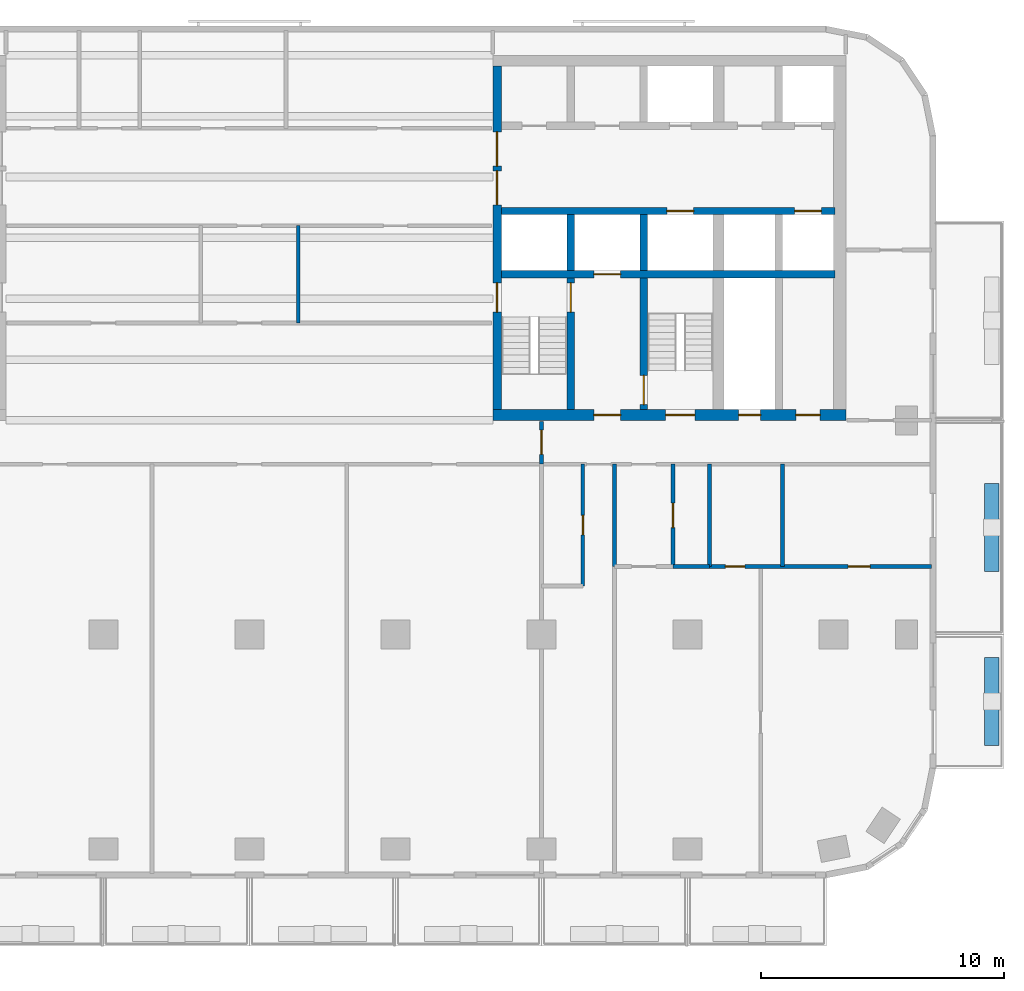
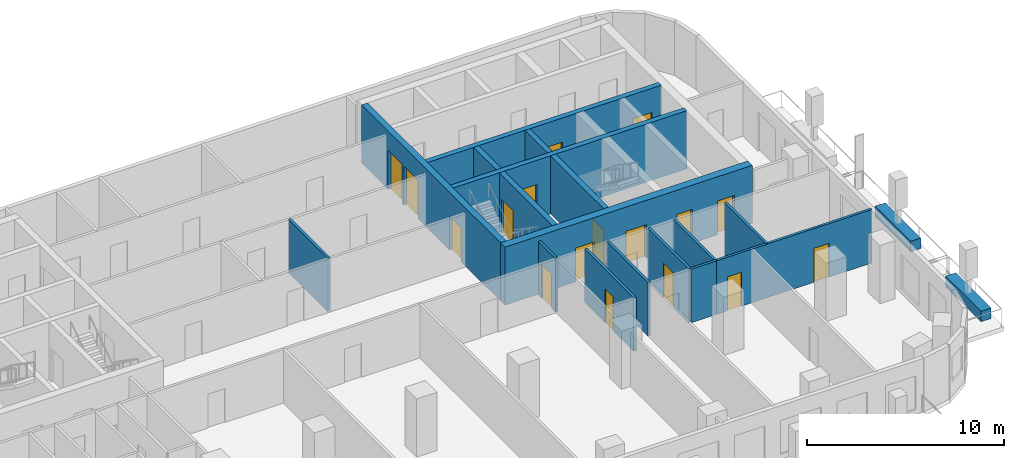
# One storey, part 5 of 11: 19 walls, 17 doors, 17 openings.
"""IFC4 building model written with IfcOpenShell, lengths in metres."""

from ifc_helpers import new_model, si_unit, direction, frame, frame_2d, origin, place, context, subcontext, project, spatial, rectangle, extrude, material, layer, layer_set, type_object, element, fill, save


model = new_model("IFC4")

# Units and contexts
model_context = context("Model", 3, precision=1e-05, world=origin(), true_north=direction((0.0, 1.0)))
body_context = subcontext(model_context, "Body", "Model", "MODEL_VIEW")
ifc_project = project(units=[si_unit("LENGTHUNIT", "METRE"), si_unit("AREAUNIT", "SQUARE_METRE"), si_unit("VOLUMEUNIT", "CUBIC_METRE"), si_unit("PLANEANGLEUNIT", "RADIAN"), si_unit("MASSUNIT", "GRAM", prefix="KILO")], contexts=[model_context])

# Site, building, storey
site_placement = place(None, origin())
site = spatial("IfcSite", under=ifc_project, at=site_placement, CompositionType="ELEMENT")
building_placement = place(site_placement, origin())
building = spatial("IfcBuilding", under=site, at=building_placement, Name="Torana Hotel and Residences", CompositionType="ELEMENT")
storey_placement = place(building_placement, frame((0.0, 0.0, 145.199951171875)))
storey = spatial("IfcBuildingStorey", under=building, at=storey_placement, Name="L37", CompositionType="ELEMENT", Elevation=145.199951171875)

# Wall, openings, doors
ifc_material_1 = material(Name="Concrete C70/85", Category="concrete")
ifc_layer_1 = layer(ifc_material_1, 0.300048828125)
ifc_layer_set_1 = layer_set([ifc_layer_1], Name="CORE WALL 300 C70/85")
wall_type_1 = type_object("IfcWallType", Name="CORE WALL 300 C70/85", PredefinedType="SHEAR", material=ifc_layer_set_1)
wall_1_placement = place(storey_placement, frame((10.35009765625, -6.39990234375, 0.0), z_axis=(0.0, 0.0, 1.0), x_axis=(1.0, 0.0, 0.0)))
wall_1 = element("IfcWall", 1, at=wall_1_placement, inside=storey, type_object=wall_type_1, Name="Core wall E row-S", PredefinedType="SHEAR", context=body_context, shape_type="SweptSolid", body=[
    extrude(rectangle(XDim=13.699951171875, YDim=0.300048828125, at=frame_2d((6.85009765625, 0.0))), origin(), (0.0, 0.0, 1.0), 3.60009765625),
])
opening_1_placement = place(wall_1_placement, frame((12.050048828125, 0.0, 0.0)))
opening_1 = element("IfcOpeningElement", 2, at=opening_1_placement, cuts=wall_1, Name="Opening LD", PredefinedType="OPENING", context=body_context, shape_type="SweptSolid", body=[
    extrude(rectangle(XDim=1.10009765625, YDim=2.10009765625, at=frame_2d((0.550048828125, 1.050048828125))), frame((0.0, 0.159912109375, 0.0), z_axis=(0.0, -1.0, 0.0), x_axis=(1.0, 0.0, 0.0)), (0.0, 0.0, 1.0), 0.320068359375),
])
opening_2_placement = place(wall_1_placement, frame((6.800048828125, 0.0, 0.0)))
opening_2 = element("IfcOpeningElement", 3, at=opening_2_placement, cuts=wall_1, Name="Opening LD", PredefinedType="OPENING", context=body_context, shape_type="SweptSolid", body=[
    extrude(rectangle(XDim=1.10009765625, YDim=2.10009765625, at=frame_2d((0.550048828125, 1.050048828125))), frame((0.0, 0.159912109375, 0.0), z_axis=(0.0, -1.0, 0.0), x_axis=(1.0, 0.0, 0.0)), (0.0, 0.0, 1.0), 0.320068359375),
])
ifc_material_2 = material(Name="Stainless steel 316", Category="steel")
door_type_1 = type_object("IfcDoorType", Name="LIFT LANDING DOOR LD 1100x2100", OperationType="DOUBLE_DOOR_SLIDING", PredefinedType="USERDEFINED", material=ifc_material_2)
door_1_placement = place(opening_1_placement, origin())
door_1 = element("IfcDoor", 4, at=door_1_placement, inside=storey, type_object=door_type_1, Name="Lift landing door M4 L37", ObjectType="LIFT LANDING DOOR", OperationType="DOUBLE_DOOR_SLIDING", OverallHeight=2.10009765625, OverallWidth=1.10009765625, PredefinedType="USERDEFINED", context=body_context, shape_type="SweptSolid", body=[
    extrude(rectangle(XDim=1.10009765625, YDim=2.10009765625, at=frame_2d((0.550048828125, 1.050048828125))), frame((0.0, 0.02490234375, 0.0), z_axis=(0.0, -1.0, 0.0), x_axis=(1.0, 0.0, 0.0)), (0.0, 0.0, 1.0), 0.050048828125),
])
fill(opening_1, door_1)
door_2_placement = place(opening_2_placement, origin())
door_2 = element("IfcDoor", 5, at=door_2_placement, inside=storey, type_object=door_type_1, Name="Lift landing door SV2 L37", ObjectType="LIFT LANDING DOOR", OperationType="DOUBLE_DOOR_SLIDING", OverallHeight=2.10009765625, OverallWidth=1.10009765625, PredefinedType="USERDEFINED", context=body_context, shape_type="SweptSolid", body=[
    extrude(rectangle(XDim=1.10009765625, YDim=2.10009765625, at=frame_2d((0.550048828125, 1.050048828125))), frame((0.0, 0.02490234375, 0.0), z_axis=(0.0, -1.0, 0.0), x_axis=(1.0, 0.0, 0.0)), (0.0, 0.0, 1.0), 0.050048828125),
])
fill(opening_2, door_2)

# Wall, opening, door
wall_2_placement = place(storey_placement, frame((10.35009765625, -9.0, 0.0), z_axis=(0.0, 0.0, 1.0), x_axis=(1.0, 0.0, 0.0)))
wall_2 = element("IfcWall", 6, at=wall_2_placement, inside=storey, type_object=wall_type_1, Name="Core wall E band", PredefinedType="SHEAR", context=body_context, shape_type="SweptSolid", body=[
    extrude(rectangle(XDim=13.699951171875, YDim=0.300048828125, at=frame_2d((6.85009765625, 0.0))), origin(), (0.0, 0.0, 1.0), 3.60009765625),
])
opening_3_placement = place(wall_2_placement, frame((3.800048828125, 0.0, 0.0)))
opening_3 = element("IfcOpeningElement", 7, at=opening_3_placement, cuts=wall_2, Name="Opening LD", PredefinedType="OPENING", context=body_context, shape_type="SweptSolid", body=[
    extrude(rectangle(XDim=1.10009765625, YDim=2.10009765625, at=frame_2d((0.550048828125, 1.050048828125))), frame((0.0, 0.159912109375, 0.0), z_axis=(0.0, -1.0, 0.0), x_axis=(1.0, 0.0, 0.0)), (0.0, 0.0, 1.0), 0.320068359375),
])
door_3_placement = place(opening_3_placement, origin())
door_3 = element("IfcDoor", 8, at=door_3_placement, inside=storey, type_object=door_type_1, Name="Lift landing door FF2 L37", ObjectType="LIFT LANDING DOOR", OperationType="DOUBLE_DOOR_SLIDING", OverallHeight=2.10009765625, OverallWidth=1.10009765625, PredefinedType="USERDEFINED", context=body_context, shape_type="SweptSolid", body=[
    extrude(rectangle(XDim=1.10009765625, YDim=2.10009765625, at=frame_2d((0.550048828125, 1.050048828125))), frame((0.0, 0.02490234375, 0.0), z_axis=(0.0, -1.0, 0.0), x_axis=(1.0, 0.0, 0.0)), (0.0, 0.0, 1.0), 0.050048828125),
])
fill(opening_3, door_3)

# Wall
wall_3_placement = place(storey_placement, frame((13.199951171875, -8.85009765625, 0.0), z_axis=(0.0, 0.0, 1.0), x_axis=(0.0, 1.0, 0.0)))
element("IfcWall", 9, at=wall_3_placement, inside=storey, type_object=wall_type_1, Name="Core wall E x3.05-S", PredefinedType="SHEAR", context=body_context, shape_type="SweptSolid", body=[
    extrude(rectangle(XDim=2.300048828125, YDim=0.300048828125, at=frame_2d((1.14990234375, 0.0))), origin(), (0.0, 0.0, 1.0), 3.60009765625),
])

# Wall, opening, door
wall_4_placement = place(storey_placement, frame((13.199951171875, -14.550048828125, 0.0), z_axis=(0.0, 0.0, 1.0), x_axis=(0.0, 1.0, 0.0)))
wall_4 = element("IfcWall", 10, at=wall_4_placement, inside=storey, type_object=wall_type_1, Name="Core wall E x3.05-band", PredefinedType="SHEAR", context=body_context, shape_type="SweptSolid", body=[
    extrude(rectangle(XDim=5.400146484375, YDim=0.300048828125, at=frame_2d((2.7001953125, 0.0))), origin(), (0.0, 0.0, 1.0), 3.60009765625),
])
opening_4_placement = place(wall_4_placement, frame((4.0, 0.0, 0.0)))
opening_4 = element("IfcOpeningElement", 11, at=opening_4_placement, cuts=wall_4, Name="Opening L37-25", PredefinedType="OPENING", context=body_context, shape_type="SweptSolid", body=[
    extrude(rectangle(XDim=1.199951171875, YDim=2.10009765625, at=frame_2d((0.60009765625, 1.050048828125))), frame((0.0, 0.159912109375, 0.0), z_axis=(0.0, -1.0, 0.0), x_axis=(1.0, 0.0, 0.0)), (0.0, 0.0, 1.0), 0.320068359375),
])
ifc_material_3 = material(Name="Steel S235", Category="steel")
door_type_2 = type_object("IfcDoorType", Name="STAIR FIRE DOOR D3 1200x2100", OperationType="SINGLE_SWING_LEFT", PredefinedType="DOOR", material=ifc_material_3)
door_4_placement = place(opening_4_placement, origin())
door_4 = element("IfcDoor", 12, at=door_4_placement, inside=storey, type_object=door_type_2, Name="Stair-A-lobby door L37", OperationType="SINGLE_SWING_LEFT", OverallHeight=2.10009765625, OverallWidth=1.199951171875, PredefinedType="DOOR", context=body_context, shape_type="SweptSolid", body=[
    extrude(rectangle(XDim=1.199951171875, YDim=2.10009765625, at=frame_2d((0.60009765625, 1.050048828125))), frame((0.0, 0.02490234375, 0.0), z_axis=(0.0, -1.0, 0.0), x_axis=(1.0, 0.0, 0.0)), (0.0, 0.0, 1.0), 0.050048828125),
])
fill(opening_4, door_4)

# Wall
wall_5_placement = place(storey_placement, frame((16.199951171875, -8.85009765625, 0.0), z_axis=(0.0, 0.0, 1.0), x_axis=(0.0, 1.0, 0.0)))
element("IfcWall", 13, at=wall_5_placement, inside=storey, type_object=wall_type_1, Name="Core wall E x6.05-S", PredefinedType="SHEAR", context=body_context, shape_type="SweptSolid", body=[
    extrude(rectangle(XDim=2.300048828125, YDim=0.300048828125, at=frame_2d((1.14990234375, 0.0))), origin(), (0.0, 0.0, 1.0), 3.60009765625),
])

# Wall, opening, door
wall_6_placement = place(storey_placement, frame((16.199951171875, -14.550048828125, 0.0), z_axis=(0.0, 0.0, 1.0), x_axis=(0.0, 1.0, 0.0)))
wall_6 = element("IfcWall", 14, at=wall_6_placement, inside=storey, type_object=wall_type_1, Name="Core wall E x6.05-band", PredefinedType="SHEAR", context=body_context, shape_type="SweptSolid", body=[
    extrude(rectangle(XDim=5.400146484375, YDim=0.300048828125, at=frame_2d((2.7001953125, 0.0))), origin(), (0.0, 0.0, 1.0), 3.60009765625),
])
opening_5_placement = place(wall_6_placement, frame((0.199951171875, 0.0, 0.0)))
opening_5 = element("IfcOpeningElement", 15, at=opening_5_placement, cuts=wall_6, Name="Opening L37-26", PredefinedType="OPENING", context=body_context, shape_type="SweptSolid", body=[
    extrude(rectangle(XDim=1.199951171875, YDim=2.10009765625, at=frame_2d((0.60009765625, 1.050048828125))), frame((0.0, 0.159912109375, 0.0), z_axis=(0.0, -1.0, 0.0), x_axis=(1.0, 0.0, 0.0)), (0.0, 0.0, 1.0), 0.320068359375),
])
door_5_placement = place(opening_5_placement, frame((0.60009765625, 0.0, 0.0), z_axis=(0.0, 0.0, 1.0), x_axis=(-1.0, 0.0, 0.0)))
door_5 = element("IfcDoor", 16, at=door_5_placement, inside=storey, type_object=door_type_2, Name="Stair-B-lobby door L37", OperationType="SINGLE_SWING_LEFT", OverallHeight=2.10009765625, OverallWidth=1.199951171875, PredefinedType="DOOR", context=body_context, shape_type="SweptSolid", body=[
    extrude(rectangle(XDim=1.199951171875, YDim=2.10009765625, at=frame_2d((0.0, 1.050048828125))), frame((0.0, -0.02490234375, 0.0), z_axis=(0.0, 1.0, 0.0), x_axis=(-1.0, 0.0, 0.0)), (0.0, 0.0, 1.0), 0.050048828125),
])
fill(opening_5, door_5)

# Wall, openings, doors
ifc_material_4 = material(Name="Concrete C70/85", Category="concrete")
ifc_layer_2 = layer(ifc_material_4, 0.35009765625)
ifc_layer_set_2 = layer_set([ifc_layer_2], Name="CORE WALL 350 C70/85")
wall_type_2 = type_object("IfcWallType", Name="CORE WALL 350 C70/85", PredefinedType="SHEAR", material=ifc_layer_set_2)
wall_7_placement = place(storey_placement, frame((10.175048828125, -14.550048828125, 0.0), z_axis=(0.0, 0.0, 1.0), x_axis=(0.0, 1.0, 0.0)))
wall_7 = element("IfcWall", 17, at=wall_7_placement, inside=storey, type_object=wall_type_2, Name="Core wall E arch", PredefinedType="SHEAR", context=body_context, shape_type="SweptSolid", body=[
    extrude(rectangle(XDim=14.10009765625, YDim=0.35009765625, at=frame_2d((7.050048828125, 0.0))), origin(), (0.0, 0.0, 1.0), 3.60009765625),
])
opening_6_placement = place(wall_7_placement, frame((8.39990234375, 0.0, 0.0)))
opening_6 = element("IfcOpeningElement", 18, at=opening_6_placement, cuts=wall_7, Name="Opening L37-14", PredefinedType="OPENING", context=body_context, shape_type="SweptSolid", body=[
    extrude(rectangle(XDim=1.39990234375, YDim=2.39990234375, at=frame_2d((0.699951171875, 1.199951171875))), frame((0.0, 0.18505859375, 0.0), z_axis=(0.0, -1.0, 0.0), x_axis=(1.0, 0.0, 0.0)), (0.0, 0.0, 1.0), 0.3701171875),
])
opening_7_placement = place(wall_7_placement, frame((10.0, 0.0, 0.0)))
opening_7 = element("IfcOpeningElement", 19, at=opening_7_placement, cuts=wall_7, Name="Opening L37-15", PredefinedType="OPENING", context=body_context, shape_type="SweptSolid", body=[
    extrude(rectangle(XDim=1.39990234375, YDim=2.39990234375, at=frame_2d((0.699951171875, 1.199951171875))), frame((0.0, 0.18505859375, 0.0), z_axis=(0.0, -1.0, 0.0), x_axis=(1.0, 0.0, 0.0)), (0.0, 0.0, 1.0), 0.3701171875),
])
opening_8_placement = place(wall_7_placement, frame((4.0, 0.0, 0.0)))
opening_8 = element("IfcOpeningElement", 20, at=opening_8_placement, cuts=wall_7, Name="Opening L37-16", PredefinedType="OPENING", context=body_context, shape_type="SweptSolid", body=[
    extrude(rectangle(XDim=1.199951171875, YDim=2.10009765625, at=frame_2d((0.60009765625, 1.050048828125))), frame((0.0, 0.18505859375, 0.0), z_axis=(0.0, -1.0, 0.0), x_axis=(1.0, 0.0, 0.0)), (0.0, 0.0, 1.0), 0.3701171875),
])
ifc_material_5 = material(Name="Steel S235", Category="steel")
door_type_3 = type_object("IfcDoorType", Name="LOBBY FIRE DOOR D4 1400x2400", OperationType="DOUBLE_DOOR_SINGLE_SWING", PredefinedType="DOOR", material=ifc_material_5)
door_6_placement = place(opening_6_placement, origin())
door_6 = element("IfcDoor", 21, at=door_6_placement, inside=storey, type_object=door_type_3, Name="Lobby-1 door L37", OperationType="DOUBLE_DOOR_SINGLE_SWING", OverallHeight=2.39990234375, OverallWidth=1.39990234375, PredefinedType="DOOR", context=body_context, shape_type="SweptSolid", body=[
    extrude(rectangle(XDim=1.39990234375, YDim=2.39990234375, at=frame_2d((0.699951171875, 1.199951171875))), frame((0.0, 0.02490234375, 0.0), z_axis=(0.0, -1.0, 0.0), x_axis=(1.0, 0.0, 0.0)), (0.0, 0.0, 1.0), 0.050048828125),
])
fill(opening_6, door_6)
door_7_placement = place(opening_7_placement, origin())
door_7 = element("IfcDoor", 22, at=door_7_placement, inside=storey, type_object=door_type_3, Name="Lobby-2 door L37", OperationType="DOUBLE_DOOR_SINGLE_SWING", OverallHeight=2.39990234375, OverallWidth=1.39990234375, PredefinedType="DOOR", context=body_context, shape_type="SweptSolid", body=[
    extrude(rectangle(XDim=1.39990234375, YDim=2.39990234375, at=frame_2d((0.699951171875, 1.199951171875))), frame((0.0, 0.02490234375, 0.0), z_axis=(0.0, -1.0, 0.0), x_axis=(1.0, 0.0, 0.0)), (0.0, 0.0, 1.0), 0.050048828125),
])
fill(opening_7, door_7)
door_8_placement = place(opening_8_placement, frame((0.60009765625, 0.0, 0.0), z_axis=(0.0, 0.0, 1.0), x_axis=(-1.0, 0.0, 0.0)))
door_8 = element("IfcDoor", 23, at=door_8_placement, inside=storey, type_object=door_type_2, Name="Stair-A door L37", OperationType="SINGLE_SWING_RIGHT", OverallHeight=2.10009765625, OverallWidth=1.199951171875, PredefinedType="DOOR", context=body_context, shape_type="SweptSolid", body=[
    extrude(rectangle(XDim=1.199951171875, YDim=2.10009765625, at=frame_2d((0.0, 1.050048828125))), frame((0.0, -0.02490234375, 0.0), z_axis=(0.0, 1.0, 0.0), x_axis=(-1.0, 0.0, 0.0)), (0.0, 0.0, 1.0), 0.050048828125),
])
fill(opening_8, door_8)

ifc_material_6 = material(Name="Concrete C70/85", Category="concrete")
ifc_layer_3 = layer(ifc_material_6, 0.449951171875)
ifc_layer_set_3 = layer_set([ifc_layer_3], Name="CORE WALL 450 C70/85")
wall_type_3 = type_object("IfcWallType", Name="CORE WALL 450 C70/85", PredefinedType="SHEAR", material=ifc_layer_set_3)
wall_8_placement = place(storey_placement, frame((10.0, -14.77490234375, 0.0), z_axis=(0.0, 0.0, 1.0), x_axis=(1.0, 0.0, 0.0)))
wall_8 = element("IfcWall", 24, at=wall_8_placement, inside=storey, type_object=wall_type_3, Name="Core wall E front", PredefinedType="SHEAR", context=body_context, shape_type="SweptSolid", body=[
    extrude(rectangle(XDim=14.5, YDim=0.449951171875, at=frame_2d((7.25, 0.0))), origin(), (0.0, 0.0, 1.0), 3.60009765625),
])
opening_9_placement = place(wall_8_placement, frame((7.10009765625, 0.0, 0.0)))
opening_9 = element("IfcOpeningElement", 25, at=opening_9_placement, cuts=wall_8, Name="Opening L37-17", PredefinedType="OPENING", context=body_context, shape_type="SweptSolid", body=[
    extrude(rectangle(XDim=1.199951171875, YDim=2.10009765625, at=frame_2d((0.60009765625, 1.050048828125))), frame((0.0, 0.23486328125, 0.0), z_axis=(0.0, -1.0, 0.0), x_axis=(1.0, 0.0, 0.0)), (0.0, 0.0, 1.0), 0.469970703125),
])
opening_10_placement = place(wall_8_placement, frame((4.14990234375, 0.0, 0.0)))
opening_10 = element("IfcOpeningElement", 26, at=opening_10_placement, cuts=wall_8, Name="Opening L37-18", PredefinedType="OPENING", context=body_context, shape_type="SweptSolid", body=[
    extrude(rectangle(XDim=1.10009765625, YDim=2.10009765625, at=frame_2d((0.550048828125, 1.050048828125))), frame((0.0, 0.23486328125, 0.0), z_axis=(0.0, -1.0, 0.0), x_axis=(1.0, 0.0, 0.0)), (0.0, 0.0, 1.0), 0.469970703125),
])
opening_11_placement = place(wall_8_placement, frame((10.10009765625, 0.0, 0.0)))
opening_11 = element("IfcOpeningElement", 27, at=opening_11_placement, cuts=wall_8, Name="Opening L37-19", PredefinedType="OPENING", context=body_context, shape_type="SweptSolid", body=[
    extrude(rectangle(XDim=0.89990234375, YDim=2.10009765625, at=frame_2d((0.449951171875, 1.050048828125))), frame((0.0, 0.23486328125, 0.0), z_axis=(0.0, -1.0, 0.0), x_axis=(1.0, 0.0, 0.0)), (0.0, 0.0, 1.0), 0.469970703125),
])
opening_12_placement = place(wall_8_placement, frame((12.449951171875, 0.0, 0.0)))
opening_12 = element("IfcOpeningElement", 28, at=opening_12_placement, cuts=wall_8, Name="Opening L37-20", PredefinedType="OPENING", context=body_context, shape_type="SweptSolid", body=[
    extrude(rectangle(XDim=1.0, YDim=2.10009765625, at=frame_2d((0.5, 1.050048828125))), frame((0.0, 0.23486328125, 0.0), z_axis=(0.0, -1.0, 0.0), x_axis=(1.0, 0.0, 0.0)), (0.0, 0.0, 1.0), 0.469970703125),
])
ifc_material_7 = material(Name="Steel S235", Category="steel")
door_type_4 = type_object("IfcDoorType", Name="CORE ROOM FIRE DOOR D14 1000x2100", OperationType="SINGLE_SWING_LEFT", PredefinedType="DOOR", material=ifc_material_7)
door_9_placement = place(opening_12_placement, origin())
door_9 = element("IfcDoor", 29, at=door_9_placement, inside=storey, type_object=door_type_4, Name="M-Room door L37", OperationType="SINGLE_SWING_RIGHT", OverallHeight=2.10009765625, OverallWidth=1.0, PredefinedType="DOOR", context=body_context, shape_type="SweptSolid", body=[
    extrude(rectangle(XDim=1.0, YDim=2.10009765625, at=frame_2d((0.5, 1.050048828125))), frame((0.0, 0.02490234375, 0.0), z_axis=(0.0, -1.0, 0.0), x_axis=(1.0, 0.0, 0.0)), (0.0, 0.0, 1.0), 0.050048828125),
])
fill(opening_12, door_9)
ifc_material_8 = material(Name="Steel S235", Category="steel")
door_type_5 = type_object("IfcDoorType", Name="FIRE-FIGHTING LOBBY DOOR D8 1100x2100", OperationType="SINGLE_SWING_LEFT", PredefinedType="DOOR", material=ifc_material_8)
door_10_placement = place(opening_10_placement, origin())
door_10 = element("IfcDoor", 30, at=door_10_placement, inside=storey, type_object=door_type_5, Name="FF-lobby door L37", OperationType="SINGLE_SWING_RIGHT", OverallHeight=2.10009765625, OverallWidth=1.10009765625, PredefinedType="DOOR", context=body_context, shape_type="SweptSolid", body=[
    extrude(rectangle(XDim=1.10009765625, YDim=2.10009765625, at=frame_2d((0.550048828125, 1.050048828125))), frame((0.0, 0.02490234375, 0.0), z_axis=(0.0, -1.0, 0.0), x_axis=(1.0, 0.0, 0.0)), (0.0, 0.0, 1.0), 0.050048828125),
])
fill(opening_10, door_10)
ifc_material_9 = material(Name="Steel S235", Category="steel")
door_type_6 = type_object("IfcDoorType", Name="RISER ACCESS DOOR D5 900x2100", OperationType="SINGLE_SWING_LEFT", PredefinedType="DOOR", material=ifc_material_9)
door_11_placement = place(opening_11_placement, origin())
door_11 = element("IfcDoor", 31, at=door_11_placement, inside=storey, type_object=door_type_6, Name="M-Riser door L37", OperationType="SINGLE_SWING_RIGHT", OverallHeight=2.10009765625, OverallWidth=0.89990234375, PredefinedType="DOOR", context=body_context, shape_type="SweptSolid", body=[
    extrude(rectangle(XDim=0.89990234375, YDim=2.10009765625, at=frame_2d((0.449951171875, 1.050048828125))), frame((0.0, 0.02490234375, 0.0), z_axis=(0.0, -1.0, 0.0), x_axis=(1.0, 0.0, 0.0)), (0.0, 0.0, 1.0), 0.050048828125),
])
fill(opening_11, door_11)
door_12_placement = place(opening_9_placement, origin())
door_12 = element("IfcDoor", 32, at=door_12_placement, inside=storey, type_object=door_type_2, Name="Stair-B door L37", OperationType="SINGLE_SWING_RIGHT", OverallHeight=2.10009765625, OverallWidth=1.199951171875, PredefinedType="DOOR", context=body_context, shape_type="SweptSolid", body=[
    extrude(rectangle(XDim=1.199951171875, YDim=2.10009765625, at=frame_2d((0.60009765625, 1.050048828125))), frame((0.0, 0.02490234375, 0.0), z_axis=(0.0, -1.0, 0.0), x_axis=(1.0, 0.0, 0.0)), (0.0, 0.0, 1.0), 0.050048828125),
])
fill(opening_9, door_12)

# Wall, opening, door
ifc_material_10 = material(Name="Gypsum plaster")
ifc_layer_4 = layer(ifc_material_10, 0.014892578125, Name="Plaster", Category="finish")
ifc_material_11 = material(Name="Concrete blockwork", Category="masonry")
ifc_layer_5 = layer(ifc_material_11, 0.1201171875, Name="Blockwork", Category="structure")
ifc_layer_6 = layer(ifc_material_10, 0.014892578125, Name="Plaster", Category="finish")
ifc_layer_set_4 = layer_set([ifc_layer_4, ifc_layer_5, ifc_layer_6], Name="FIRE PARTITION 150 BLOCKWORK")
wall_type_4 = type_object("IfcWallType", Name="FIRE PARTITION 150 BLOCKWORK", PredefinedType="PARTITIONING", material=ifc_layer_set_4)
wall_9_placement = place(storey_placement, frame((17.39990234375, -21.0, 0.0), z_axis=(0.0, 0.0, 1.0), x_axis=(0.0, 1.0, 0.0)))
wall_9 = element("IfcWall", 33, at=wall_9_placement, inside=storey, type_object=wall_type_4, Name="Partition L37", PredefinedType="PARTITIONING", context=body_context, shape_type="SweptSolid", body=[
    extrude(rectangle(XDim=4.199951171875, YDim=0.14990234375, at=frame_2d((2.10009765625, 0.0))), origin(), (0.0, 0.0, 1.0), 3.320068359375),
])
opening_13_placement = place(wall_9_placement, frame((1.60009765625, 0.0, 0.0)))
opening_13 = element("IfcOpeningElement", 34, at=opening_13_placement, cuts=wall_9, Name="Opening L37-53", PredefinedType="OPENING", context=body_context, shape_type="SweptSolid", body=[
    extrude(rectangle(XDim=1.0, YDim=2.10009765625, at=frame_2d((0.5, 1.050048828125))), frame((0.0, 0.0849609375, 0.0), z_axis=(0.0, -1.0, 0.0), x_axis=(1.0, 0.0, 0.0)), (0.0, 0.0, 1.0), 0.169921875),
])
ifc_material_12 = material(Name="Steel S235", Category="steel")
door_type_7 = type_object("IfcDoorType", Name="ENTRY FIRE DOOR D6 1000x2100", OperationType="SINGLE_SWING_LEFT", PredefinedType="DOOR", material=ifc_material_12)
door_13_placement = place(opening_13_placement, frame((0.5, 0.0, 0.0), z_axis=(0.0, 0.0, 1.0), x_axis=(-1.0, 0.0, 0.0)))
door_13 = element("IfcDoor", 35, at=door_13_placement, inside=storey, type_object=door_type_7, Name="Door L37", OperationType="SINGLE_SWING_LEFT", OverallHeight=2.10009765625, OverallWidth=1.0, PredefinedType="DOOR", context=body_context, shape_type="SweptSolid", body=[
    extrude(rectangle(XDim=1.0, YDim=2.10009765625, at=frame_2d((0.0, 1.050048828125))), frame((0.0, -0.02490234375, 0.0), z_axis=(0.0, 1.0, 0.0), x_axis=(-1.0, 0.0, 0.0)), (0.0, 0.0, 1.0), 0.050048828125),
])
fill(opening_13, door_13)

# Wall
wall_10_placement = place(storey_placement, frame((15.0, -21.0, 0.0), z_axis=(0.0, 0.0, 1.0), x_axis=(0.0, 1.0, 0.0)))
element("IfcWall", 36, at=wall_10_placement, inside=storey, type_object=wall_type_4, Name="Partition L37", PredefinedType="PARTITIONING", context=body_context, shape_type="SweptSolid", body=[
    extrude(rectangle(XDim=4.199951171875, YDim=0.14990234375, at=frame_2d((2.10009765625, 0.0))), origin(), (0.0, 0.0, 1.0), 3.320068359375),
])

# Wall, opening, door
wall_11_placement = place(storey_placement, frame((12.0, -16.800048828125, 0.0), z_axis=(0.0, 0.0, 1.0), x_axis=(0.0, 1.0, 0.0)))
wall_11 = element("IfcWall", 37, at=wall_11_placement, inside=storey, type_object=wall_type_4, Name="Partition L37", PredefinedType="PARTITIONING", context=body_context, shape_type="SweptSolid", body=[
    extrude(rectangle(XDim=1.75, YDim=0.14990234375, at=frame_2d((0.875, 0.0))), origin(), (0.0, 0.0, 1.0), 3.320068359375),
])
opening_14_placement = place(wall_11_placement, frame((0.39990234375, 0.0, 0.0)))
opening_14 = element("IfcOpeningElement", 38, at=opening_14_placement, cuts=wall_11, Name="Opening L37-31", PredefinedType="OPENING", context=body_context, shape_type="SweptSolid", body=[
    extrude(rectangle(XDim=1.0, YDim=2.10009765625, at=frame_2d((0.5, 1.050048828125))), frame((0.0, 0.0849609375, 0.0), z_axis=(0.0, -1.0, 0.0), x_axis=(1.0, 0.0, 0.0)), (0.0, 0.0, 1.0), 0.169921875),
])
door_14_placement = place(opening_14_placement, origin())
door_14 = element("IfcDoor", 39, at=door_14_placement, inside=storey, type_object=door_type_7, Name="Door L37", OperationType="SINGLE_SWING_RIGHT", OverallHeight=2.10009765625, OverallWidth=1.0, PredefinedType="DOOR", context=body_context, shape_type="SweptSolid", body=[
    extrude(rectangle(XDim=1.0, YDim=2.10009765625, at=frame_2d((0.5, 1.050048828125))), frame((0.0, 0.02490234375, 0.0), z_axis=(0.0, -1.0, 0.0), x_axis=(1.0, 0.0, 0.0)), (0.0, 0.0, 1.0), 0.050048828125),
])
fill(opening_14, door_14)

# Walls
wall_12_placement = place(storey_placement, frame((2.0, -11.0, 0.0), z_axis=(0.0, 0.0, 1.0), x_axis=(0.0, 1.0, 0.0)))
element("IfcWall", 40, at=wall_12_placement, inside=storey, type_object=wall_type_4, Name="Partition L37", PredefinedType="PARTITIONING", context=body_context, shape_type="SweptSolid", body=[
    extrude(rectangle(XDim=4.0, YDim=0.14990234375, at=frame_2d((2.0, 0.0))), origin(), (0.0, 0.0, 1.0), 3.320068359375),
])
ifc_material_13 = material(Name="Gypsum plasterboard")
ifc_layer_7 = layer(ifc_material_13, 0.012451171875, Name="Plasterboard", Category="finish")
ifc_layer_8 = layer(ifc_material_13, 0.012451171875, Name="Plasterboard", Category="finish")
ifc_material_14 = material(Name="Steel S280GD", Category="steel")
ifc_layer_9 = layer(ifc_material_14, 0.10009765625, Name="Steel studs with mineral wool", Category="insulation")
ifc_layer_10 = layer(ifc_material_13, 0.012451171875, Name="Plasterboard", Category="finish")
ifc_layer_11 = layer(ifc_material_13, 0.012451171875, Name="Plasterboard", Category="finish")
ifc_layer_set_5 = layer_set([ifc_layer_7, ifc_layer_8, ifc_layer_9, ifc_layer_10, ifc_layer_11], Name="PARTITION 150 PLASTERBOARD")
wall_type_5 = type_object("IfcWallType", Name="PARTITION 150 PLASTERBOARD", PredefinedType="PARTITIONING", material=ifc_layer_set_5)
wall_13_placement = place(storey_placement, frame((21.89990234375, -21.0, 0.0), z_axis=(0.0, 0.0, 1.0), x_axis=(0.0, 1.0, 0.0)))
element("IfcWall", 41, at=wall_13_placement, inside=storey, type_object=wall_type_5, Name="Partition L37", PredefinedType="PARTITIONING", context=body_context, shape_type="SweptSolid", body=[
    extrude(rectangle(XDim=4.199951171875, YDim=0.14990234375, at=frame_2d((2.10009765625, 0.0))), origin(), (0.0, 0.0, 1.0), 3.320068359375),
])

# Wall, opening, door
wall_14_placement = place(storey_placement, frame((13.699951171875, -21.800048828125, 0.0), z_axis=(0.0, 0.0, 1.0), x_axis=(0.0, 1.0, 0.0)))
wall_14 = element("IfcWall", 42, at=wall_14_placement, inside=storey, type_object=wall_type_5, Name="Partition L37", PredefinedType="PARTITIONING", context=body_context, shape_type="SweptSolid", body=[
    extrude(rectangle(XDim=5.0, YDim=0.14990234375, at=frame_2d((2.5, 0.0))), origin(), (0.0, 0.0, 1.0), 3.320068359375),
])
opening_15_placement = place(wall_14_placement, frame((2.10009765625, 0.0, 0.0)))
opening_15 = element("IfcOpeningElement", 43, at=opening_15_placement, cuts=wall_14, Name="Opening L37-47", PredefinedType="OPENING", context=body_context, shape_type="SweptSolid", body=[
    extrude(rectangle(XDim=0.800048828125, YDim=2.10009765625, at=frame_2d((0.39990234375, 1.050048828125))), frame((0.0, 0.0849609375, 0.0), z_axis=(0.0, -1.0, 0.0), x_axis=(1.0, 0.0, 0.0)), (0.0, 0.0, 1.0), 0.169921875),
])
ifc_material_15 = material(Name="Timber door, painted", Category="wood")
door_type_8 = type_object("IfcDoorType", Name="BATH DOOR D13 800x2100", OperationType="SINGLE_SWING_LEFT", PredefinedType="DOOR", material=ifc_material_15)
door_15_placement = place(opening_15_placement, origin())
door_15 = element("IfcDoor", 44, at=door_15_placement, inside=storey, type_object=door_type_8, Name="Door L37", OperationType="SINGLE_SWING_RIGHT", OverallHeight=2.10009765625, OverallWidth=0.800048828125, PredefinedType="DOOR", context=body_context, shape_type="SweptSolid", body=[
    extrude(rectangle(XDim=0.800048828125, YDim=2.10009765625, at=frame_2d((0.39990234375, 1.050048828125))), frame((0.0, 0.02490234375, 0.0), z_axis=(0.0, -1.0, 0.0), x_axis=(1.0, 0.0, 0.0)), (0.0, 0.0, 1.0), 0.050048828125),
])
fill(opening_15, door_15)

# Wall, openings, doors
wall_15_placement = place(storey_placement, frame((18.89990234375, -21.0, 0.0), z_axis=(0.0, 0.0, 1.0), x_axis=(1.0, 0.0, 0.0)))
wall_15 = element("IfcWall", 45, at=wall_15_placement, inside=storey, type_object=wall_type_5, Name="Partition L37", PredefinedType="PARTITIONING", context=body_context, shape_type="SweptSolid", body=[
    extrude(rectangle(XDim=9.1201171875, YDim=0.14990234375, at=frame_2d((4.56005859375, 0.0))), origin(), (0.0, 0.0, 1.0), 3.320068359375),
])
opening_16_placement = place(wall_15_placement, frame((0.64990234375, 0.0, 0.0)))
opening_16 = element("IfcOpeningElement", 46, at=opening_16_placement, cuts=wall_15, Name="Opening L37-55", PredefinedType="OPENING", context=body_context, shape_type="SweptSolid", body=[
    extrude(rectangle(XDim=0.800048828125, YDim=2.10009765625, at=frame_2d((0.39990234375, 1.050048828125))), frame((0.0, 0.0849609375, 0.0), z_axis=(0.0, -1.0, 0.0), x_axis=(1.0, 0.0, 0.0)), (0.0, 0.0, 1.0), 0.169921875),
])
opening_17_placement = place(wall_15_placement, frame((5.699951171875, 0.0, 0.0)))
opening_17 = element("IfcOpeningElement", 47, at=opening_17_placement, cuts=wall_15, Name="Opening L37-56", PredefinedType="OPENING", context=body_context, shape_type="SweptSolid", body=[
    extrude(rectangle(XDim=0.89990234375, YDim=2.10009765625, at=frame_2d((0.449951171875, 1.050048828125))), frame((0.0, 0.0849609375, 0.0), z_axis=(0.0, -1.0, 0.0), x_axis=(1.0, 0.0, 0.0)), (0.0, 0.0, 1.0), 0.169921875),
])
door_16_placement = place(opening_16_placement, origin())
door_16 = element("IfcDoor", 48, at=door_16_placement, inside=storey, type_object=door_type_8, Name="Door L37", OperationType="SINGLE_SWING_RIGHT", OverallHeight=2.10009765625, OverallWidth=0.800048828125, PredefinedType="DOOR", context=body_context, shape_type="SweptSolid", body=[
    extrude(rectangle(XDim=0.800048828125, YDim=2.10009765625, at=frame_2d((0.39990234375, 1.050048828125))), frame((0.0, 0.02490234375, 0.0), z_axis=(0.0, -1.0, 0.0), x_axis=(1.0, 0.0, 0.0)), (0.0, 0.0, 1.0), 0.050048828125),
])
fill(opening_16, door_16)
ifc_material_16 = material(Name="Timber door, oiled ash", Category="wood")
door_type_9 = type_object("IfcDoorType", Name="ROOM DOOR D7 900x2100", OperationType="SINGLE_SWING_LEFT", PredefinedType="DOOR", material=ifc_material_16)
door_17_placement = place(opening_17_placement, origin())
door_17 = element("IfcDoor", 49, at=door_17_placement, inside=storey, type_object=door_type_9, Name="Door L37", OperationType="SINGLE_SWING_RIGHT", OverallHeight=2.10009765625, OverallWidth=0.89990234375, PredefinedType="DOOR", context=body_context, shape_type="SweptSolid", body=[
    extrude(rectangle(XDim=0.89990234375, YDim=2.10009765625, at=frame_2d((0.449951171875, 1.050048828125))), frame((0.0, 0.02490234375, 0.0), z_axis=(0.0, -1.0, 0.0), x_axis=(1.0, 0.0, 0.0)), (0.0, 0.0, 1.0), 0.050048828125),
])
fill(opening_17, door_17)

# Walls
ifc_material_17 = material(Name="Concrete C40/50 precast", Category="concrete")
ifc_layer_12 = layer(ifc_material_17, 0.10009765625, Name="Planter shell", Category="structure")
ifc_material_18 = material(Name="Root resistant membrane")
ifc_layer_13 = layer(ifc_material_18, 0.00390625, Name="Waterproofing membrane", Category="membrane")
ifc_material_19 = material(Name="Drainage board with filter fleece")
ifc_layer_14 = layer(ifc_material_19, 0.02001953125, Name="Drainage board", Category="drainage")
ifc_material_20 = material(Name="Growing medium")
ifc_layer_15 = layer(ifc_material_20, 0.47607421875, Name="Planting substrate", Category="soil")
ifc_layer_set_6 = layer_set([ifc_layer_12, ifc_layer_13, ifc_layer_14, ifc_layer_15], Name="PL1 BALCONY PLANTER 600")
wall_type_6 = type_object("IfcWallType", Name="PL1 BALCONY PLANTER 600", PredefinedType="USERDEFINED", material=ifc_layer_set_6)
wall_16_placement = place(storey_placement, frame((30.5, -24.75, 0.0), z_axis=(0.0, 0.0, 1.0), x_axis=(0.0, -1.0, 0.0)))
element("IfcWall", 50, at=wall_16_placement, inside=storey, type_object=wall_type_6, Name="Planter 12", ObjectType="PLANTER", PredefinedType="USERDEFINED", context=body_context, shape_type="SweptSolid", body=[
    extrude(rectangle(XDim=3.60009765625, YDim=0.60009765625, at=frame_2d((1.800048828125, 0.0))), origin(), (0.0, 0.0, 1.0), 0.650146484375),
])
wall_17_placement = place(storey_placement, frame((30.5, -17.60009765625, 0.0), z_axis=(0.0, 0.0, 1.0), x_axis=(0.0, -1.0, 0.0)))
element("IfcWall", 51, at=wall_17_placement, inside=storey, type_object=wall_type_6, Name="Planter 13", ObjectType="PLANTER", PredefinedType="USERDEFINED", context=body_context, shape_type="SweptSolid", body=[
    extrude(rectangle(XDim=3.599853515625, YDim=0.60009765625, at=frame_2d((1.7998046875, 0.0))), origin(), (0.0, 0.0, 1.0), 0.650146484375),
])
ifc_material_21 = material(Name="Ceramic tile on adhesive")
ifc_layer_16 = layer(ifc_material_21, 0.010009765625, Name="Wall tile", Category="finish")
ifc_material_22 = material(Name="Cement render")
ifc_layer_17 = layer(ifc_material_22, 0.010009765625, Name="Render", Category="finish")
ifc_layer_18 = layer(ifc_material_11, 0.110107421875, Name="Blockwork", Category="structure")
ifc_layer_19 = layer(ifc_material_22, 0.010009765625, Name="Render", Category="finish")
ifc_layer_20 = layer(ifc_material_21, 0.010009765625, Name="Wall tile", Category="finish")
ifc_layer_set_7 = layer_set([ifc_layer_16, ifc_layer_17, ifc_layer_18, ifc_layer_19, ifc_layer_20], Name="WC PARTITION 150")
wall_type_7 = type_object("IfcWallType", Name="WC PARTITION 150", PredefinedType="PLUMBINGWALL", material=ifc_layer_set_7)
wall_18_placement = place(storey_placement, frame((18.89990234375, -21.0, 0.0), z_axis=(0.0, 0.0, 1.0), x_axis=(0.0, 1.0, 0.0)))
element("IfcWall", 52, at=wall_18_placement, inside=storey, type_object=wall_type_7, Name="Partition L37", PredefinedType="PLUMBINGWALL", context=body_context, shape_type="SweptSolid", body=[
    extrude(rectangle(XDim=4.199951171875, YDim=0.14990234375, at=frame_2d((2.10009765625, 0.0))), origin(), (0.0, 0.0, 1.0), 3.320068359375),
])
wall_19_placement = place(storey_placement, frame((17.39990234375, -21.0, 0.0), z_axis=(0.0, 0.0, 1.0), x_axis=(1.0, 0.0, 0.0)))
element("IfcWall", 53, at=wall_19_placement, inside=storey, type_object=wall_type_7, Name="Partition L37", PredefinedType="PLUMBINGWALL", context=body_context, shape_type="SweptSolid", body=[
    extrude(rectangle(XDim=1.5, YDim=0.14990234375, at=frame_2d((0.75, 0.0))), origin(), (0.0, 0.0, 1.0), 3.320068359375),
])

save(model, "model.ifc")
